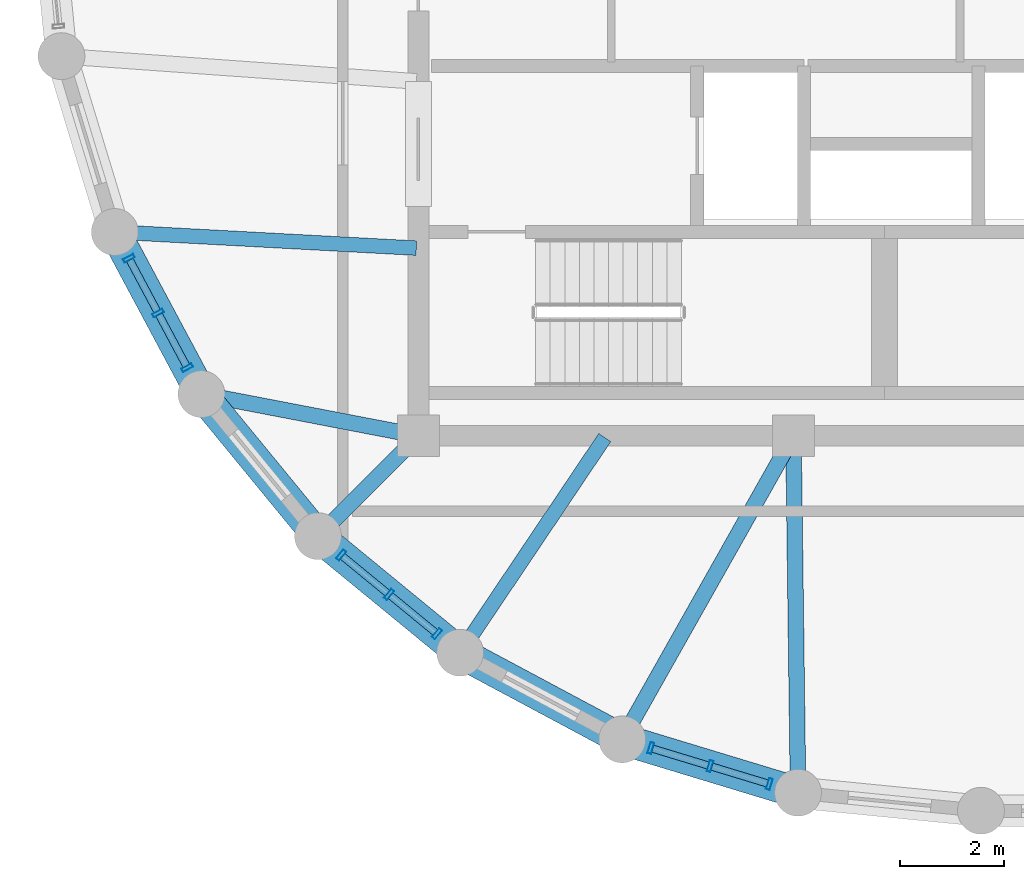
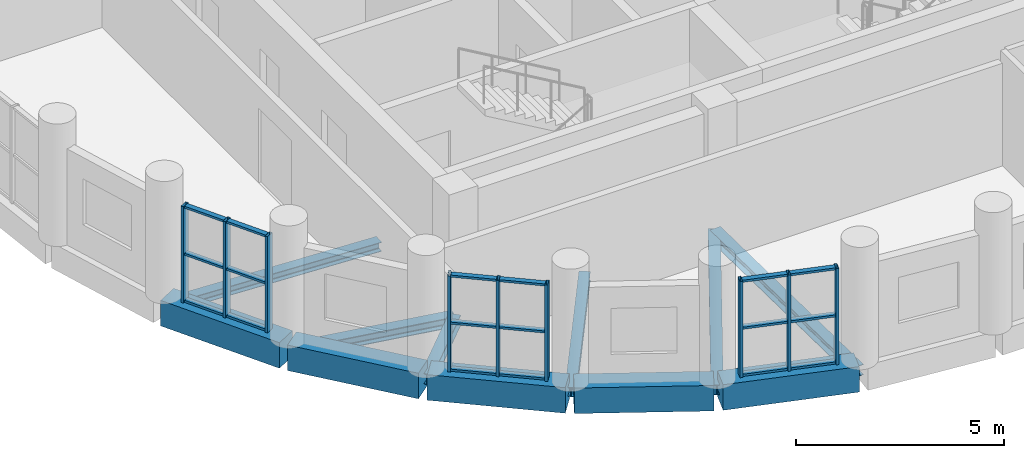
# One storey, part 2 of 11: 27 members, 11 beams, 3 elements without a shape of their own.
"""IFC4 building model written with IfcOpenShell, lengths in metres."""

from ifc_helpers import new_model, si_unit, direction, frame, origin, origin_2d, place, context, subcontext, project, spatial, rectangle, hollow_rectangle, i_section, extrude, material, layer, layer_set, material_profile, profile_set, type_object, element, aggregate, save


model = new_model("IFC4")

# Units and contexts
model_context = context("Model", 3, precision=1e-05, world=origin(), true_north=direction((0.0, 1.0)))
body_context = subcontext(model_context, "Body", "Model", "MODEL_VIEW")
ifc_project = project(units=[si_unit("LENGTHUNIT", "METRE"), si_unit("AREAUNIT", "SQUARE_METRE"), si_unit("VOLUMEUNIT", "CUBIC_METRE"), si_unit("PLANEANGLEUNIT", "RADIAN"), si_unit("MASSUNIT", "GRAM", prefix="KILO")], contexts=[model_context])

# Site, building, storey
site_placement = place(None, origin())
site = spatial("IfcSite", under=ifc_project, at=site_placement, CompositionType="ELEMENT")
building_placement = place(site_placement, origin())
building = spatial("IfcBuilding", under=site, at=building_placement, Name="Solnavia Interchange Tower", CompositionType="ELEMENT")
storey_placement = place(building_placement, frame((0.0, 0.0, 284.60009765625)))
storey = spatial("IfcBuildingStorey", under=building, at=storey_placement, Name="L72", CompositionType="ELEMENT", Elevation=284.60009765625)

# Beams
ifc_material_1 = material(Name="Steel S460", Category="steel")
ifc_material_profile_1 = material_profile(ifc_material_1, i_section(OverallWidth=0.300048828125, OverallDepth=0.300048828125, WebThickness=0.010986328125, FlangeThickness=0.01904296875, FilletRadius=0.027099609375, at=origin_2d()), Name="HEB 300")
ifc_profile_set_1 = profile_set([ifc_material_profile_1], Name="Steel S460")
beam_type_1 = type_object("IfcBeamType", Name="Beam-Girder-HEB300", PredefinedType="BEAM", material=ifc_profile_set_1)
beam_1_placement = place(storey_placement, frame((10.3125, 11.5849609375, -0.400146484375), z_axis=(0.982057527796, -0.188581579428, 0.0), x_axis=(0.188581579428, 0.982057527796, 0.0)))
element("IfcBeam", 1, at=beam_1_placement, inside=storey, type_object=beam_type_1, Name="GRD-L72-DR07 Drum radial floor girder", PredefinedType="BEAM", context=body_context, shape_type="SweptSolid", body=[
    extrude(i_section(OverallWidth=0.300048828125, OverallDepth=0.300048828125, WebThickness=0.010986328125, FlangeThickness=0.01904296875, FilletRadius=0.027099609375, at=origin_2d()), origin(), (0.0, 0.0, 1.0), 4.1220703125),
])
beam_2_placement = place(storey_placement, frame((18.351318359375, 5.039794921875, -0.400146484375), z_axis=(0.491243158486, 0.871022479182, 0.0), x_axis=(-0.871022479182, 0.491243158486, 0.0)))
element("IfcBeam", 2, at=beam_2_placement, inside=storey, type_object=beam_type_1, Name="GRD-L72-DR10 Drum radial floor girder", PredefinedType="BEAM", context=body_context, shape_type="SweptSolid", body=[
    extrude(i_section(OverallWidth=0.300048828125, OverallDepth=0.300048828125, WebThickness=0.010986328125, FlangeThickness=0.01904296875, FilletRadius=0.027099609375, at=origin_2d()), origin(), (0.0, 0.0, 1.0), 6.5732421875),
])
ifc_material_2 = material(Name="Steel S355", Category="steel")
ifc_material_profile_2 = material_profile(ifc_material_2, i_section(OverallWidth=0.280029296875, OverallDepth=0.27001953125, WebThickness=0.008056640625, FlangeThickness=0.012939453125, FilletRadius=0.02392578125, at=origin_2d()), Name="HEA 280")
ifc_profile_set_2 = profile_set([ifc_material_profile_2], Name="Steel S355")
beam_type_2 = type_object("IfcBeamType", Name="Beam-Primary-HEA280", PredefinedType="BEAM", material=ifc_profile_set_2)
beam_3_placement = place(storey_placement, frame((8.64990234375, 14.707763671875, -0.385009765625), z_axis=(0.998570371303, -0.053452909696, 0.0), x_axis=(0.053452909696, 0.998570371303, 0.0)))
element("IfcBeam", 3, at=beam_3_placement, inside=storey, type_object=beam_type_2, Name="GRD-L72-DR06 Drum radial floor girder", PredefinedType="BEAM", context=body_context, shape_type="SweptSolid", body=[
    extrude(i_section(OverallWidth=0.280029296875, OverallDepth=0.27001953125, WebThickness=0.008056640625, FlangeThickness=0.012939453125, FilletRadius=0.02392578125, at=origin_2d()), origin(), (0.0, 0.0, 1.0), 5.71826171875),
])
beam_4_placement = place(storey_placement, frame((15.24462890625, 6.700439453125, -0.385009765625), z_axis=(0.557835474219, 0.829951555033, 0.0), x_axis=(-0.829951555033, 0.557835474219, 0.0)))
element("IfcBeam", 4, at=beam_4_placement, inside=storey, type_object=beam_type_2, Name="GRD-L72-DR09 Drum radial floor girder", PredefinedType="BEAM", context=body_context, shape_type="SweptSolid", body=[
    extrude(i_section(OverallWidth=0.280029296875, OverallDepth=0.27001953125, WebThickness=0.008056640625, FlangeThickness=0.012939453125, FilletRadius=0.02392578125, at=origin_2d()), origin(), (0.0, 0.0, 1.0), 4.899658203125),
])
ifc_material_profile_3 = material_profile(ifc_material_2, i_section(OverallWidth=0.300048828125, OverallDepth=0.31005859375, WebThickness=0.009033203125, FlangeThickness=0.015380859375, FilletRadius=0.027099609375, at=origin_2d()), Name="HEA 320")
ifc_profile_set_3 = profile_set([ifc_material_profile_3], Name="Steel S355")
beam_type_3 = type_object("IfcBeamType", Name="Beam-Primary-HEA320", PredefinedType="BEAM", material=ifc_profile_set_3)
beam_5_placement = place(storey_placement, frame((12.528564453125, 8.9287109375, -0.405029296875), z_axis=(0.707106781187, 0.707106781187, 0.0), x_axis=(-0.707106781187, 0.707106781187, 0.0)))
element("IfcBeam", 5, at=beam_5_placement, inside=storey, type_object=beam_type_3, Name="GRD-L72-DR08 Drum radial floor girder", PredefinedType="BEAM", context=body_context, shape_type="SweptSolid", body=[
    extrude(i_section(OverallWidth=0.300048828125, OverallDepth=0.31005859375, WebThickness=0.009033203125, FlangeThickness=0.015380859375, FilletRadius=0.027099609375, at=origin_2d()), origin(), (0.0, 0.0, 1.0), 2.6064453125),
])
beam_6_placement = place(storey_placement, frame((21.68701171875, 4.02587890625, -0.405029296875), z_axis=(-0.01283293513, 0.999917654498, 0.0), x_axis=(-0.999917654498, -0.01283293513, 0.0)))
element("IfcBeam", 6, at=beam_6_placement, inside=storey, type_object=beam_type_3, Name="GRD-L72-DR11 Drum radial floor girder", PredefinedType="BEAM", context=body_context, shape_type="SweptSolid", body=[
    extrude(i_section(OverallWidth=0.300048828125, OverallDepth=0.31005859375, WebThickness=0.009033203125, FlangeThickness=0.015380859375, FilletRadius=0.027099609375, at=origin_2d()), origin(), (0.0, 0.0, 1.0), 6.734619140625),
])
ifc_material_3 = material(Name="Concrete C50/60", Category="concrete")
ifc_material_profile_4 = material_profile(ifc_material_3, rectangle(XDim=0.60009765625, YDim=0.75, at=origin_2d()), Name="RC 600x750")
ifc_profile_set_4 = profile_set([ifc_material_profile_4], Name="Concrete C50/60")
beam_type_4 = type_object("IfcBeamType", Name="Beam-Spandrel-RC600x750", PredefinedType="SPANDREL", material=ifc_profile_set_4)
beam_7_placement = place(storey_placement, frame((8.607666015625, 14.6416015625, -0.375), z_axis=(0.471509422952, -0.881861023102, 0.0), x_axis=(0.881861023102, 0.471509422952, 0.0)))
element("IfcBeam", 7, at=beam_7_placement, inside=storey, type_object=beam_type_4, Name="SPB-L72-03 Framed-tube perimeter spandrel beam", PredefinedType="SPANDREL", context=body_context, shape_type="SweptSolid", body=[
    extrude(rectangle(XDim=0.60009765625, YDim=0.75, at=origin_2d()), origin(), (0.0, 0.0, 1.0), 3.369140625),
])
for number, where, z_axis, x_axis, name in (
    (8, (10.28466796875, 11.5380859375, -0.375), (0.634298841675, -0.773087950656, 0.0), (0.773087950656, 0.634298841675, 0.0), "SPB-L72-04 Framed-tube perimeter spandrel beam"),
    (9, (12.53369140625, 8.8212890625, -0.375), (0.773152644452, -0.634219984214, 0.0), (0.634219984214, 0.773152644452, 0.0), "SPB-L72-05 Framed-tube perimeter spandrel beam"),
):
    element("IfcBeam", number, at=place(storey_placement, frame(where, z_axis=z_axis, x_axis=x_axis)), inside=storey, type_object=beam_type_4, Name=name, PredefinedType="SPANDREL", context=body_context, shape_type="SweptSolid", body=[
        extrude(rectangle(XDim=0.60009765625, YDim=0.75, at=origin_2d()), origin(), (0.0, 0.0, 1.0), 3.36865234375),
    ])
beam_8_placement = place(storey_placement, frame((15.2705078125, 6.59619140625, -0.375), z_axis=(0.881875044348, -0.47148319817, 0.0), x_axis=(0.47148319817, 0.881875044348, 0.0)))
element("IfcBeam", 10, at=beam_8_placement, inside=storey, type_object=beam_type_4, Name="SPB-L72-06 Framed-tube perimeter spandrel beam", PredefinedType="SPANDREL", context=body_context, shape_type="SweptSolid", body=[
    extrude(rectangle(XDim=0.60009765625, YDim=0.75, at=origin_2d()), origin(), (0.0, 0.0, 1.0), 3.368896484375),
])
beam_9_placement = place(storey_placement, frame((18.388671875, 4.94677734375, -0.375), z_axis=(0.956943884494, -0.290272978297, 0.0), x_axis=(0.290272978297, 0.956943884494, 0.0)))
element("IfcBeam", 11, at=beam_9_placement, inside=storey, type_object=beam_type_4, Name="SPB-L72-07 Framed-tube perimeter spandrel beam", PredefinedType="SPANDREL", context=body_context, shape_type="SweptSolid", body=[
    extrude(rectangle(XDim=0.60009765625, YDim=0.75, at=origin_2d()), origin(), (0.0, 0.0, 1.0), 3.36767578125),
])

# Curtain wall, members
ifc_material_4 = material(Name="Aluminium Alloy 6063-T6", Category="aluminium")
ifc_layer = layer(ifc_material_4, 0.239990234375)
ifc_layer_set = layer_set([ifc_layer], Name="Aluminium Alloy 6063-T6")
curtain_wall_type = type_object("IfcCurtainWallType", Name="CurtainWall-Drum-CTW2", PredefinedType="NOTDEFINED", material=ifc_layer_set)
curtain_wall_1_placement = place(storey_placement, origin())
curtain_wall_1 = element("IfcCurtainWall", 12, at=curtain_wall_1_placement, inside=storey, type_object=curtain_wall_type, Name="CTW-L72-D43 CTW-2 curtain wall", PredefinedType="NOTDEFINED")
ifc_material_profile_5 = material_profile(ifc_material_4, hollow_rectangle(XDim=0.074951171875, YDim=0.219970703125, WallThickness=0.0048828125, at=origin_2d()), Name="ALU 220x75x5")
ifc_profile_set_5 = profile_set([ifc_material_profile_5], Name="Aluminium Alloy 6063-T6")
member_type_1 = type_object("IfcMemberType", Name="CW-Mullion-CWM-2", PredefinedType="MULLION", material=ifc_profile_set_5)
member_1_placement = place(storey_placement, frame((8.841064453125, 14.204833984375, 0.0), z_axis=(0.0, 0.0, 1.0), x_axis=(0.471560876964, -0.881833509976, 0.0)))
member_1 = element("IfcMember", 13, at=member_1_placement, type_object=member_type_1, Name="CTW-2 mullion 1", PredefinedType="MULLION", context=body_context, shape_type="SweptSolid", body=[
    extrude(hollow_rectangle(XDim=0.074951171875, YDim=0.219970703125, WallThickness=0.0048828125, at=origin_2d()), origin(), (0.0, 0.0, 1.0), 2.829833984375),
])
member_2_placement = place(storey_placement, frame((9.402099609375, 13.156005859375, 0.0), z_axis=(0.0, 0.0, 1.0), x_axis=(0.471560876964, -0.881833509976, 0.0)))
member_2 = element("IfcMember", 14, at=member_2_placement, type_object=member_type_1, Name="CTW-2 mullion 2", PredefinedType="MULLION", context=body_context, shape_type="SweptSolid", body=[
    extrude(hollow_rectangle(XDim=0.074951171875, YDim=0.219970703125, WallThickness=0.0048828125, at=origin_2d()), origin(), (0.0, 0.0, 1.0), 2.829833984375),
])
member_3_placement = place(storey_placement, frame((9.962890625, 12.107177734375, 0.0), z_axis=(0.0, 0.0, 1.0), x_axis=(0.471560876964, -0.881833509976, 0.0)))
member_3 = element("IfcMember", 15, at=member_3_placement, type_object=member_type_1, Name="CTW-2 mullion 3", PredefinedType="MULLION", context=body_context, shape_type="SweptSolid", body=[
    extrude(hollow_rectangle(XDim=0.074951171875, YDim=0.219970703125, WallThickness=0.0048828125, at=origin_2d()), origin(), (0.0, 0.0, 1.0), 2.829833984375),
])

curtain_wall_2_placement = place(storey_placement, origin())
curtain_wall_2 = element("IfcCurtainWall", 16, at=curtain_wall_2_placement, inside=storey, type_object=curtain_wall_type, Name="CTW-L72-D45 CTW-2 curtain wall", PredefinedType="NOTDEFINED")
member_4_placement = place(storey_placement, frame((12.91650390625, 8.50732421875, 0.0), z_axis=(0.0, 0.0, 1.0), x_axis=(0.773103093557, -0.634280384951, 0.0)))
member_4 = element("IfcMember", 17, at=member_4_placement, type_object=member_type_1, Name="CTW-2 mullion 1", PredefinedType="MULLION", context=body_context, shape_type="SweptSolid", body=[
    extrude(hollow_rectangle(XDim=0.074951171875, YDim=0.219970703125, WallThickness=0.0048828125, at=origin_2d()), origin(), (0.0, 0.0, 1.0), 2.829833984375),
])
member_5_placement = place(storey_placement, frame((13.8359375, 7.7529296875, 0.0), z_axis=(0.0, 0.0, 1.0), x_axis=(0.773103093557, -0.634280384951, 0.0)))
member_5 = element("IfcMember", 18, at=member_5_placement, type_object=member_type_1, Name="CTW-2 mullion 2", PredefinedType="MULLION", context=body_context, shape_type="SweptSolid", body=[
    extrude(hollow_rectangle(XDim=0.074951171875, YDim=0.219970703125, WallThickness=0.0048828125, at=origin_2d()), origin(), (0.0, 0.0, 1.0), 2.829833984375),
])
member_6_placement = place(storey_placement, frame((14.75537109375, 6.998779296875, 0.0), z_axis=(0.0, 0.0, 1.0), x_axis=(0.773103093557, -0.634280384951, 0.0)))
member_6 = element("IfcMember", 19, at=member_6_placement, type_object=member_type_1, Name="CTW-2 mullion 3", PredefinedType="MULLION", context=body_context, shape_type="SweptSolid", body=[
    extrude(hollow_rectangle(XDim=0.074951171875, YDim=0.219970703125, WallThickness=0.0048828125, at=origin_2d()), origin(), (0.0, 0.0, 1.0), 2.829833984375),
])

curtain_wall_3_placement = place(storey_placement, origin())
curtain_wall_3 = element("IfcCurtainWall", 20, at=curtain_wall_3_placement, inside=storey, type_object=curtain_wall_type, Name="CTW-L72-D47 CTW-2 curtain wall", PredefinedType="NOTDEFINED")
member_7_placement = place(storey_placement, frame((18.8623046875, 4.80322265625, 0.0), z_axis=(0.0, 0.0, 1.0), x_axis=(0.956942072515, -0.290278951786, 0.0)))
member_7 = element("IfcMember", 21, at=member_7_placement, type_object=member_type_1, Name="CTW-2 mullion 1", PredefinedType="MULLION", context=body_context, shape_type="SweptSolid", body=[
    extrude(hollow_rectangle(XDim=0.074951171875, YDim=0.219970703125, WallThickness=0.0048828125, at=origin_2d()), origin(), (0.0, 0.0, 1.0), 2.829833984375),
])
member_8_placement = place(storey_placement, frame((20.0, 4.4580078125, 0.0), z_axis=(0.0, 0.0, 1.0), x_axis=(0.956942072515, -0.290278951786, 0.0)))
member_8 = element("IfcMember", 22, at=member_8_placement, type_object=member_type_1, Name="CTW-2 mullion 2", PredefinedType="MULLION", context=body_context, shape_type="SweptSolid", body=[
    extrude(hollow_rectangle(XDim=0.074951171875, YDim=0.219970703125, WallThickness=0.0048828125, at=origin_2d()), origin(), (0.0, 0.0, 1.0), 2.829833984375),
])
member_9_placement = place(storey_placement, frame((21.1376953125, 4.11279296875, 0.0), z_axis=(0.0, 0.0, 1.0), x_axis=(0.956942072515, -0.290278951786, 0.0)))
member_9 = element("IfcMember", 23, at=member_9_placement, type_object=member_type_1, Name="CTW-2 mullion 3", PredefinedType="MULLION", context=body_context, shape_type="SweptSolid", body=[
    extrude(hollow_rectangle(XDim=0.074951171875, YDim=0.219970703125, WallThickness=0.0048828125, at=origin_2d()), origin(), (0.0, 0.0, 1.0), 2.829833984375),
])

# Member
ifc_material_profile_6 = material_profile(ifc_material_4, hollow_rectangle(XDim=0.06494140625, YDim=0.139892578125, WallThickness=0.00390625, at=origin_2d()), Name="ALU 140x65x4")
ifc_profile_set_6 = profile_set([ifc_material_profile_6], Name="Aluminium Alloy 6063-T6")
member_type_2 = type_object("IfcMemberType", Name="CW-Transom-CWT-2", PredefinedType="USERDEFINED", material=ifc_profile_set_6)
member_10_placement = place(storey_placement, frame((8.85888671875, 14.171875, 0.032470703125), z_axis=(0.471406647105, -0.881915967122, 0.0), x_axis=(0.0, 0.0, 1.0)))
member_10 = element("IfcMember", 24, at=member_10_placement, type_object=member_type_2, Name="CTW-2 transom 1.1", ObjectType="TRANSOM", PredefinedType="USERDEFINED", context=body_context, shape_type="SweptSolid", body=[
    extrude(hollow_rectangle(XDim=0.06494140625, YDim=0.139892578125, WallThickness=0.00390625, at=origin_2d()), origin(), (0.0, 0.0, 1.0), 1.114501953125),
])

member_11_placement = place(storey_placement, frame((8.85888671875, 14.171875, 1.414794921875), z_axis=(0.471406647105, -0.881915967122, 0.0), x_axis=(0.0, 0.0, 1.0)))
member_11 = element("IfcMember", 25, at=member_11_placement, type_object=member_type_2, Name="CTW-2 transom 1.2", ObjectType="TRANSOM", PredefinedType="USERDEFINED", context=body_context, shape_type="SweptSolid", body=[
    extrude(hollow_rectangle(XDim=0.06494140625, YDim=0.139892578125, WallThickness=0.00390625, at=origin_2d()), origin(), (0.0, 0.0, 1.0), 1.114501953125),
])

member_12_placement = place(storey_placement, frame((8.85888671875, 14.171875, 2.79736328125), z_axis=(0.471406647105, -0.881915967122, 0.0), x_axis=(0.0, 0.0, 1.0)))
member_12 = element("IfcMember", 26, at=member_12_placement, type_object=member_type_2, Name="CTW-2 transom 1.3", ObjectType="TRANSOM", PredefinedType="USERDEFINED", context=body_context, shape_type="SweptSolid", body=[
    extrude(hollow_rectangle(XDim=0.06494140625, YDim=0.139892578125, WallThickness=0.00390625, at=origin_2d()), origin(), (0.0, 0.0, 1.0), 1.114501953125),
])

member_13_placement = place(storey_placement, frame((9.419677734375, 13.123046875, 0.032470703125), z_axis=(0.471576996491, -0.881824889862, 0.0), x_axis=(0.0, 0.0, 1.0)))
member_13 = element("IfcMember", 27, at=member_13_placement, type_object=member_type_2, Name="CTW-2 transom 2.1", ObjectType="TRANSOM", PredefinedType="USERDEFINED", context=body_context, shape_type="SweptSolid", body=[
    extrude(hollow_rectangle(XDim=0.06494140625, YDim=0.139892578125, WallThickness=0.00390625, at=origin_2d()), origin(), (0.0, 0.0, 1.0), 1.11474609375),
])

member_14_placement = place(storey_placement, frame((9.419677734375, 13.123046875, 1.414794921875), z_axis=(0.471576996491, -0.881824889862, 0.0), x_axis=(0.0, 0.0, 1.0)))
member_14 = element("IfcMember", 28, at=member_14_placement, type_object=member_type_2, Name="CTW-2 transom 2.2", ObjectType="TRANSOM", PredefinedType="USERDEFINED", context=body_context, shape_type="SweptSolid", body=[
    extrude(hollow_rectangle(XDim=0.06494140625, YDim=0.139892578125, WallThickness=0.00390625, at=origin_2d()), origin(), (0.0, 0.0, 1.0), 1.11474609375),
])

member_15_placement = place(storey_placement, frame((9.419677734375, 13.123046875, 2.79736328125), z_axis=(0.471576996491, -0.881824889862, 0.0), x_axis=(0.0, 0.0, 1.0)))
member_15 = element("IfcMember", 29, at=member_15_placement, type_object=member_type_2, Name="CTW-2 transom 2.3", ObjectType="TRANSOM", PredefinedType="USERDEFINED", context=body_context, shape_type="SweptSolid", body=[
    extrude(hollow_rectangle(XDim=0.06494140625, YDim=0.139892578125, WallThickness=0.00390625, at=origin_2d()), origin(), (0.0, 0.0, 1.0), 1.11474609375),
])

aggregate(curtain_wall_1, [member_1, member_2, member_3, member_10, member_11, member_12, member_13, member_14, member_15])

member_16_placement = place(storey_placement, frame((12.945556640625, 8.483642578125, 0.032470703125), z_axis=(0.773136723636, -0.634239392158, 0.0), x_axis=(0.0, 0.0, 1.0)))
member_16 = element("IfcMember", 30, at=member_16_placement, type_object=member_type_2, Name="CTW-2 transom 1.1", ObjectType="TRANSOM", PredefinedType="USERDEFINED", context=body_context, shape_type="SweptSolid", body=[
    extrude(hollow_rectangle(XDim=0.06494140625, YDim=0.139892578125, WallThickness=0.00390625, at=origin_2d()), origin(), (0.0, 0.0, 1.0), 1.114501953125),
])

member_17_placement = place(storey_placement, frame((12.945556640625, 8.483642578125, 1.414794921875), z_axis=(0.773136723636, -0.634239392158, 0.0), x_axis=(0.0, 0.0, 1.0)))
member_17 = element("IfcMember", 31, at=member_17_placement, type_object=member_type_2, Name="CTW-2 transom 1.2", ObjectType="TRANSOM", PredefinedType="USERDEFINED", context=body_context, shape_type="SweptSolid", body=[
    extrude(hollow_rectangle(XDim=0.06494140625, YDim=0.139892578125, WallThickness=0.00390625, at=origin_2d()), origin(), (0.0, 0.0, 1.0), 1.114501953125),
])

member_18_placement = place(storey_placement, frame((12.945556640625, 8.483642578125, 2.79736328125), z_axis=(0.773136723636, -0.634239392158, 0.0), x_axis=(0.0, 0.0, 1.0)))
member_18 = element("IfcMember", 32, at=member_18_placement, type_object=member_type_2, Name="CTW-2 transom 1.3", ObjectType="TRANSOM", PredefinedType="USERDEFINED", context=body_context, shape_type="SweptSolid", body=[
    extrude(hollow_rectangle(XDim=0.06494140625, YDim=0.139892578125, WallThickness=0.00390625, at=origin_2d()), origin(), (0.0, 0.0, 1.0), 1.114501953125),
])

member_19_placement = place(storey_placement, frame((13.864990234375, 7.729248046875, 0.032470703125), z_axis=(0.773048573819, -0.634346831407, 0.0), x_axis=(0.0, 0.0, 1.0)))
member_19 = element("IfcMember", 33, at=member_19_placement, type_object=member_type_2, Name="CTW-2 transom 2.1", ObjectType="TRANSOM", PredefinedType="USERDEFINED", context=body_context, shape_type="SweptSolid", body=[
    extrude(hollow_rectangle(XDim=0.06494140625, YDim=0.139892578125, WallThickness=0.00390625, at=origin_2d()), origin(), (0.0, 0.0, 1.0), 1.1142578125),
])

member_20_placement = place(storey_placement, frame((13.864990234375, 7.729248046875, 1.414794921875), z_axis=(0.773048573819, -0.634346831407, 0.0), x_axis=(0.0, 0.0, 1.0)))
member_20 = element("IfcMember", 34, at=member_20_placement, type_object=member_type_2, Name="CTW-2 transom 2.2", ObjectType="TRANSOM", PredefinedType="USERDEFINED", context=body_context, shape_type="SweptSolid", body=[
    extrude(hollow_rectangle(XDim=0.06494140625, YDim=0.139892578125, WallThickness=0.00390625, at=origin_2d()), origin(), (0.0, 0.0, 1.0), 1.1142578125),
])

member_21_placement = place(storey_placement, frame((13.864990234375, 7.729248046875, 2.79736328125), z_axis=(0.773048573819, -0.634346831407, 0.0), x_axis=(0.0, 0.0, 1.0)))
member_21 = element("IfcMember", 35, at=member_21_placement, type_object=member_type_2, Name="CTW-2 transom 2.3", ObjectType="TRANSOM", PredefinedType="USERDEFINED", context=body_context, shape_type="SweptSolid", body=[
    extrude(hollow_rectangle(XDim=0.06494140625, YDim=0.139892578125, WallThickness=0.00390625, at=origin_2d()), origin(), (0.0, 0.0, 1.0), 1.1142578125),
])

aggregate(curtain_wall_2, [member_4, member_5, member_6, member_16, member_17, member_18, member_19, member_20, member_21])

member_22_placement = place(storey_placement, frame((18.898193359375, 4.792236328125, 0.032470703125), z_axis=(0.956965394332, -0.290202057283, 0.0), x_axis=(0.0, 0.0, 1.0)))
member_22 = element("IfcMember", 36, at=member_22_placement, type_object=member_type_2, Name="CTW-2 transom 1.1", ObjectType="TRANSOM", PredefinedType="USERDEFINED", context=body_context, shape_type="SweptSolid", body=[
    extrude(hollow_rectangle(XDim=0.06494140625, YDim=0.139892578125, WallThickness=0.00390625, at=origin_2d()), origin(), (0.0, 0.0, 1.0), 1.11376953125),
])

member_23_placement = place(storey_placement, frame((18.898193359375, 4.792236328125, 1.414794921875), z_axis=(0.956965394332, -0.290202057283, 0.0), x_axis=(0.0, 0.0, 1.0)))
member_23 = element("IfcMember", 37, at=member_23_placement, type_object=member_type_2, Name="CTW-2 transom 1.2", ObjectType="TRANSOM", PredefinedType="USERDEFINED", context=body_context, shape_type="SweptSolid", body=[
    extrude(hollow_rectangle(XDim=0.06494140625, YDim=0.139892578125, WallThickness=0.00390625, at=origin_2d()), origin(), (0.0, 0.0, 1.0), 1.11376953125),
])

member_24_placement = place(storey_placement, frame((18.898193359375, 4.792236328125, 2.79736328125), z_axis=(0.956965394332, -0.290202057283, 0.0), x_axis=(0.0, 0.0, 1.0)))
member_24 = element("IfcMember", 38, at=member_24_placement, type_object=member_type_2, Name="CTW-2 transom 1.3", ObjectType="TRANSOM", PredefinedType="USERDEFINED", context=body_context, shape_type="SweptSolid", body=[
    extrude(hollow_rectangle(XDim=0.06494140625, YDim=0.139892578125, WallThickness=0.00390625, at=origin_2d()), origin(), (0.0, 0.0, 1.0), 1.11376953125),
])

member_25_placement = place(storey_placement, frame((20.035888671875, 4.447021484375, 0.032470703125), z_axis=(0.956965394332, -0.290202057283, 0.0), x_axis=(0.0, 0.0, 1.0)))
member_25 = element("IfcMember", 39, at=member_25_placement, type_object=member_type_2, Name="CTW-2 transom 2.1", ObjectType="TRANSOM", PredefinedType="USERDEFINED", context=body_context, shape_type="SweptSolid", body=[
    extrude(hollow_rectangle(XDim=0.06494140625, YDim=0.139892578125, WallThickness=0.00390625, at=origin_2d()), origin(), (0.0, 0.0, 1.0), 1.11376953125),
])

member_26_placement = place(storey_placement, frame((20.035888671875, 4.447021484375, 1.414794921875), z_axis=(0.956965394332, -0.290202057283, 0.0), x_axis=(0.0, 0.0, 1.0)))
member_26 = element("IfcMember", 40, at=member_26_placement, type_object=member_type_2, Name="CTW-2 transom 2.2", ObjectType="TRANSOM", PredefinedType="USERDEFINED", context=body_context, shape_type="SweptSolid", body=[
    extrude(hollow_rectangle(XDim=0.06494140625, YDim=0.139892578125, WallThickness=0.00390625, at=origin_2d()), origin(), (0.0, 0.0, 1.0), 1.11376953125),
])

member_27_placement = place(storey_placement, frame((20.035888671875, 4.447021484375, 2.79736328125), z_axis=(0.956965394332, -0.290202057283, 0.0), x_axis=(0.0, 0.0, 1.0)))
member_27 = element("IfcMember", 41, at=member_27_placement, type_object=member_type_2, Name="CTW-2 transom 2.3", ObjectType="TRANSOM", PredefinedType="USERDEFINED", context=body_context, shape_type="SweptSolid", body=[
    extrude(hollow_rectangle(XDim=0.06494140625, YDim=0.139892578125, WallThickness=0.00390625, at=origin_2d()), origin(), (0.0, 0.0, 1.0), 1.11376953125),
])

aggregate(curtain_wall_3, [member_7, member_8, member_9, member_22, member_23, member_24, member_25, member_26, member_27])

save(model, "model.ifc")
